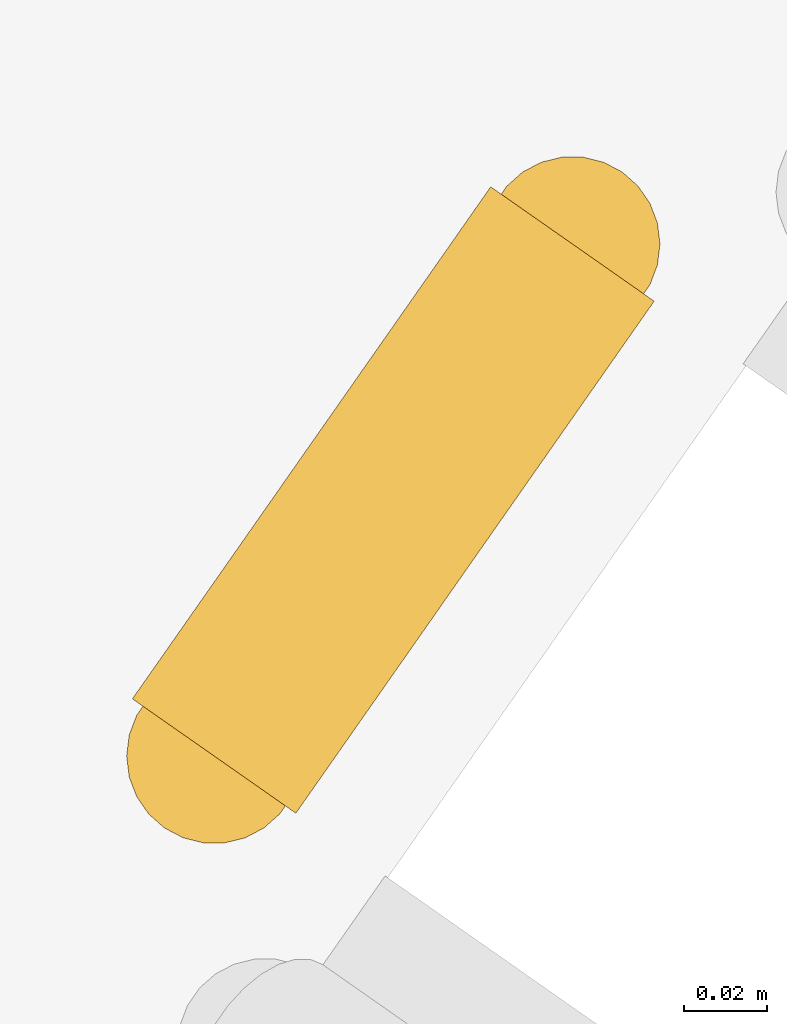
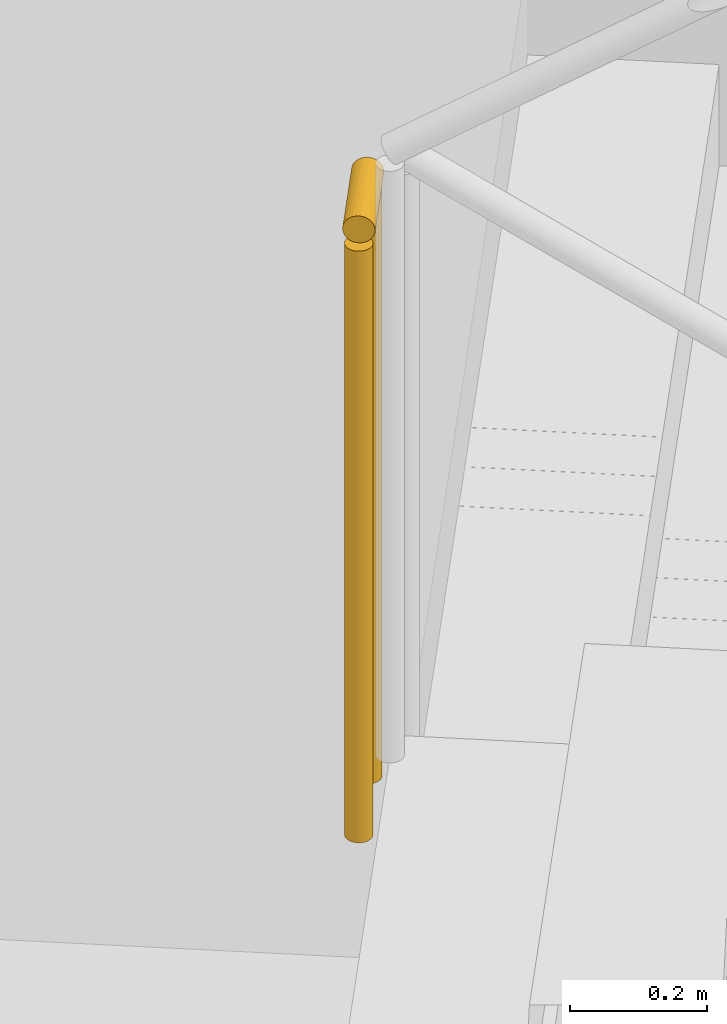
# One storey, part 22 of 24: 1 railing.
"""IFC4 building model written with IfcOpenShell, lengths in metres."""

from ifc_helpers import new_model, si_unit, direction, frame, origin, origin_2d, place, context, subcontext, project, spatial, circle, extrude, material, type_object, element, save


model = new_model("IFC4")

# Units and contexts
model_context = context("Model", 3, precision=1e-05, world=origin(), true_north=direction((0.0, 1.0)))
body_context = subcontext(model_context, "Body", "Model", "MODEL_VIEW")
ifc_project = project(units=[si_unit("LENGTHUNIT", "METRE"), si_unit("AREAUNIT", "SQUARE_METRE"), si_unit("VOLUMEUNIT", "CUBIC_METRE"), si_unit("PLANEANGLEUNIT", "RADIAN"), si_unit("MASSUNIT", "GRAM", prefix="KILO")], contexts=[model_context])

# Site, building, storey
site_placement = place(None, origin())
site = spatial("IfcSite", under=ifc_project, at=site_placement, CompositionType="ELEMENT")
building_placement = place(site_placement, origin())
building = spatial("IfcBuilding", under=site, at=building_placement, Name="Tel Ilan Convention Tower", CompositionType="ELEMENT")
storey_placement = place(building_placement, frame((0.0, 0.0, 68.89990234375)))
storey = spatial("IfcBuildingStorey", under=building, at=storey_placement, Name="L12", CompositionType="ELEMENT", Elevation=68.89990234375)

# Railing
ifc_material = material(Name="Stainless Steel Grade 316", Category="steel")
railing_type = type_object("IfcRailingType", Name="Stainless Steel Stair Guard 1100 mm", PredefinedType="GUARDRAIL", material=ifc_material)
railing_placement = place(storey_placement, frame((18.762939453125, -10.391357421875, 1.800048828125)))
element("IfcRailing", 1, at=railing_placement, inside=storey, type_object=railing_type, Name="L12 S4 stair guard 2", PredefinedType="GUARDRAIL", context=body_context, shape_type="SweptSolid", body=[
    extrude(circle(Radius=0.02392578125, at=origin_2d()), frame((0.0, 0.0, 1.076171875), z_axis=(-0.573353020881, -0.819308436089, 0.0), x_axis=(0.819308436089, -0.573353020881, 0.0)), (0.0, 0.0, 1.0), 0.14990234375),
    extrude(circle(Radius=0.02099609375, at=origin_2d()), origin(), (0.0, 0.0, 1.0), 1.052001953125),
    extrude(circle(Radius=0.02099609375, at=origin_2d()), frame((-0.0859375, -0.122802734375, 0.0)), (0.0, 0.0, 1.0), 1.052001953125),
])

save(model, "model.ifc")
